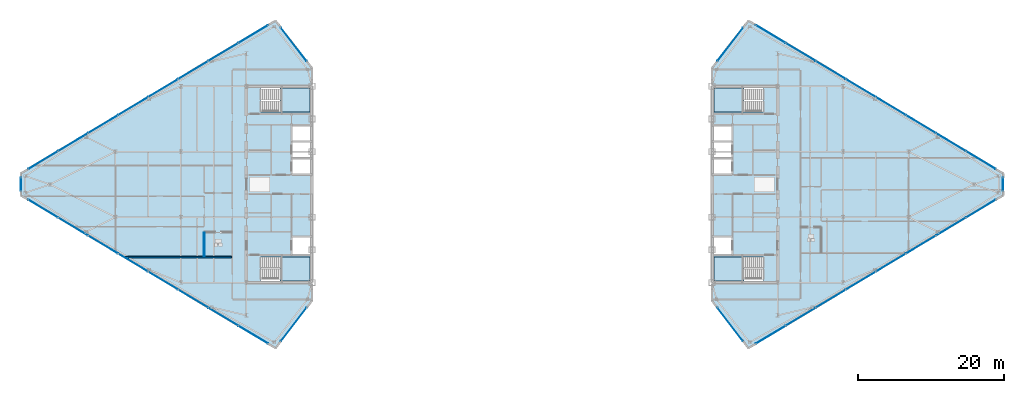
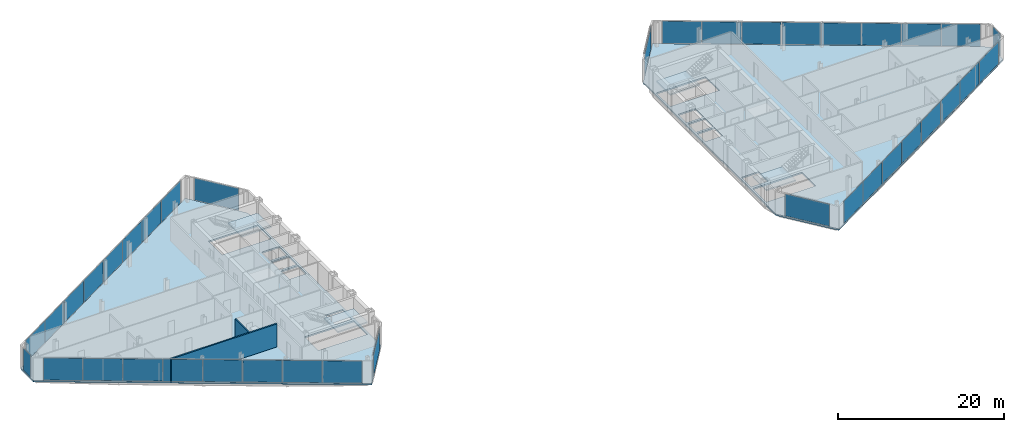
# One storey, part 18 of 25: 38 plates, 6 slabs, 2 walls, 14 elements without a shape of their own.
"""IFC4 building model written with IfcOpenShell, lengths in metres."""

from ifc_helpers import new_model, si_unit, direction, frame, frame_2d, origin, origin_2d, place, context, subcontext, project, spatial, polyline, rectangle, outline, extrude, source, transform, mapped, material, layer, layer_set, type_object, type_shapes, element, aggregate, save


model = new_model("IFC4")

# Units and contexts
model_context = context("Model", 3, precision=1e-05, world=origin(), true_north=direction((0.0, 1.0)))
body_context = subcontext(model_context, "Body", "Model", "MODEL_VIEW")
ifc_project = project(units=[si_unit("LENGTHUNIT", "METRE"), si_unit("AREAUNIT", "SQUARE_METRE"), si_unit("VOLUMEUNIT", "CUBIC_METRE"), si_unit("PLANEANGLEUNIT", "RADIAN"), si_unit("MASSUNIT", "GRAM", prefix="KILO")], contexts=[model_context])

# Site, building, storey
site_placement = place(None, origin())
site = spatial("IfcSite", under=ifc_project, at=site_placement, CompositionType="ELEMENT")
building_placement = place(site_placement, origin())
building = spatial("IfcBuilding", under=site, at=building_placement, Name="Seokmaru Belvedere", CompositionType="ELEMENT")
storey_placement = place(building_placement, frame((0.0, 0.0, 210.300048828125)))
storey = spatial("IfcBuildingStorey", under=building, at=storey_placement, Name="L56", CompositionType="ELEMENT", Elevation=210.300048828125)

# Stair, slab
ifc_material_1 = material(Name="Concrete C40 (40 MPa)", Category="concrete")
stair_type = type_object("IfcStairType", Name="Typical Tower Core Dog-Leg Stair 3600", PredefinedType="TWO_STRAIGHT_RUN_STAIR", material=ifc_material_1)
stair_1_placement = place(storey_placement, origin())
stair_1 = element("IfcStair", 1, at=stair_1_placement, inside=storey, type_object=stair_type, Name="L56 Special Escape Stair ST-W1", PredefinedType="TWO_STRAIGHT_RUN_STAIR")
ifc_layer_1 = layer(ifc_material_1, 0.199951171875)
ifc_layer_set_1 = layer_set([ifc_layer_1], Name="Concrete C40 (40 MPa)")
slab_type_1 = type_object("IfcSlabType", Name="Reinforced Concrete Stair Landing Slab 200", PredefinedType="LANDING", material=ifc_layer_set_1)
slab_1_placement = place(storey_placement, frame((0.0, 0.0, 1.599853515625)))
slab_1 = element("IfcSlab", 2, at=slab_1_placement, type_object=slab_type_1, Name="ST-W1 landing 1", PredefinedType="LANDING", context=body_context, shape_type="SweptSolid", body=[
    extrude(outline(polyline([(-31.8798828125, -13.239990234375), (-27.760009765625, -13.239990234375), (-27.760009765625, -9.949951171875), (-31.8798828125, -9.949951171875), (-31.8798828125, -13.239990234375)])), origin(), (0.0, 0.0, 1.0), 0.2001953125),
])
aggregate(stair_1, [slab_1])

stair_2_placement = place(storey_placement, origin())
stair_2 = element("IfcStair", 3, at=stair_2_placement, inside=storey, type_object=stair_type, Name="L56 Special Escape Stair ST-W2", PredefinedType="TWO_STRAIGHT_RUN_STAIR")
slab_2_placement = place(storey_placement, frame((0.0, 0.0, 1.599853515625)))
slab_2 = element("IfcSlab", 4, at=slab_2_placement, type_object=slab_type_1, Name="ST-W2 landing 1", PredefinedType="LANDING", context=body_context, shape_type="SweptSolid", body=[
    extrude(outline(polyline([(-31.8798828125, 9.949951171875), (-27.760009765625, 9.949951171875), (-27.760009765625, 13.239990234375), (-31.8798828125, 13.239990234375), (-31.8798828125, 9.949951171875)])), origin(), (0.0, 0.0, 1.0), 0.2001953125),
])
aggregate(stair_2, [slab_2])

stair_3_placement = place(storey_placement, origin())
stair_3 = element("IfcStair", 5, at=stair_3_placement, inside=storey, type_object=stair_type, Name="L56 Special Escape Stair ST-E1", PredefinedType="TWO_STRAIGHT_RUN_STAIR")
slab_3_placement = place(storey_placement, frame((0.0, 0.0, 1.599853515625)))
slab_3 = element("IfcSlab", 6, at=slab_3_placement, type_object=slab_type_1, Name="ST-E1 landing 1", PredefinedType="LANDING", context=body_context, shape_type="SweptSolid", body=[
    extrude(outline(polyline([(27.760009765625, -13.239990234375), (31.8798828125, -13.239990234375), (31.8798828125, -9.949951171875), (27.760009765625, -9.949951171875), (27.760009765625, -13.239990234375)])), origin(), (0.0, 0.0, 1.0), 0.2001953125),
])
aggregate(stair_3, [slab_3])

stair_4_placement = place(storey_placement, origin())
stair_4 = element("IfcStair", 7, at=stair_4_placement, inside=storey, type_object=stair_type, Name="L56 Special Escape Stair ST-E2", PredefinedType="TWO_STRAIGHT_RUN_STAIR")
slab_4_placement = place(storey_placement, frame((0.0, 0.0, 1.599853515625)))
slab_4 = element("IfcSlab", 8, at=slab_4_placement, type_object=slab_type_1, Name="ST-E2 landing 1", PredefinedType="LANDING", context=body_context, shape_type="SweptSolid", body=[
    extrude(outline(polyline([(27.760009765625, 9.949951171875), (31.8798828125, 9.949951171875), (31.8798828125, 13.239990234375), (27.760009765625, 13.239990234375), (27.760009765625, 9.949951171875)])), origin(), (0.0, 0.0, 1.0), 0.2001953125),
])
aggregate(stair_4, [slab_4])

# Slabs
ifc_layer_2 = layer(ifc_material_1, 0.219970703125)
ifc_layer_set_2 = layer_set([ifc_layer_2], Name="Concrete C40 (40 MPa)")
slab_type_2 = type_object("IfcSlabType", Name="Typical Tower Composite Floor Slab 220", PredefinedType="FLOOR", material=ifc_layer_set_2)
slab_5_placement = place(storey_placement, frame((0.0, 0.0, -0.219970703125)))
element("IfcSlab", 9, at=slab_5_placement, inside=storey, type_object=slab_type_2, Name="L56 West Leg Floor Slab", PredefinedType="FLOOR", context=body_context, shape_type="SweptSolid", body=[
    extrude(outline(polyline([(-27.5, -16.0), (-27.5, 16.0), (-32.5, 22.5), (-67.5, 1.5), (-67.5, -1.5), (-32.5, -22.5), (-27.5, -16.0)]), holes=[polyline([(-34.60009765625, -13.25), (-27.75, -13.25), (-27.75, -9.949951171875), (-34.60009765625, -9.949951171875), (-34.60009765625, -13.25)]), polyline([(-34.60009765625, 9.949951171875), (-27.75, 9.949951171875), (-27.75, 13.25), (-34.60009765625, 13.25), (-34.60009765625, 9.949951171875)]), polyline([(-30.14990234375, -9.550048828125), (-27.75, -9.550048828125), (-27.75, -7.25), (-30.14990234375, -7.25), (-30.14990234375, -9.550048828125)]), polyline([(-30.14990234375, 1.449951171875), (-27.75, 1.449951171875), (-27.75, 3.449951171875), (-30.14990234375, 3.449951171875), (-30.14990234375, 1.449951171875)]), polyline([(-30.14990234375, 3.75), (-27.75, 3.75), (-27.75, 5.75), (-30.14990234375, 5.75), (-30.14990234375, 3.75)]), polyline([(-30.14990234375, 6.050048828125), (-27.75, 6.050048828125), (-27.75, 8.050048828125), (-30.14990234375, 8.050048828125), (-30.14990234375, 6.050048828125)])]), origin(), (0.0, 0.0, 1.0), 0.219970703125),
])
slab_6_placement = place(storey_placement, frame((0.0, 0.0, -0.219970703125)))
element("IfcSlab", 10, at=slab_6_placement, inside=storey, type_object=slab_type_2, Name="L56 East Leg Floor Slab", PredefinedType="FLOOR", context=body_context, shape_type="SweptSolid", body=[
    extrude(outline(polyline([(32.5, -22.5), (67.5, -1.5), (67.5, 1.5), (32.5, 22.5), (27.5, 16.0), (27.5, -16.0), (32.5, -22.5)]), holes=[polyline([(27.75, -13.25), (34.60009765625, -13.25), (34.60009765625, -9.949951171875), (27.75, -9.949951171875), (27.75, -13.25)]), polyline([(27.75, 9.949951171875), (34.60009765625, 9.949951171875), (34.60009765625, 13.25), (27.75, 13.25), (27.75, 9.949951171875)]), polyline([(27.75, -9.550048828125), (30.14990234375, -9.550048828125), (30.14990234375, -7.25), (27.75, -7.25), (27.75, -9.550048828125)]), polyline([(27.75, 1.449951171875), (30.14990234375, 1.449951171875), (30.14990234375, 3.449951171875), (27.75, 3.449951171875), (27.75, 1.449951171875)]), polyline([(27.75, 3.75), (30.14990234375, 3.75), (30.14990234375, 5.75), (27.75, 5.75), (27.75, 3.75)]), polyline([(27.75, 6.050048828125), (30.14990234375, 6.050048828125), (30.14990234375, 8.050048828125), (27.75, 8.050048828125), (27.75, 6.050048828125)])]), origin(), (0.0, 0.0, 1.0), 0.219970703125),
])

# Curtain wall, plate
ifc_material_2 = material(Name="Bronze Triple Insulating Glass", Category="glass")
ifc_layer_3 = layer(ifc_material_2, 0.179931640625)
ifc_layer_set_3 = layer_set([ifc_layer_3], Name="Bronze Triple Insulating Glass")
curtain_wall_type = type_object("IfcCurtainWallType", Name="High-Rise Wind-Corner Curtain Wall System CW-5", PredefinedType="NOTDEFINED", material=ifc_layer_set_3)
curtain_wall_1_placement = place(storey_placement, origin())
curtain_wall_1 = element("IfcCurtainWall", 11, at=curtain_wall_1_placement, inside=storey, type_object=curtain_wall_type, Name="L56 Curtain Wall WF2", PredefinedType="NOTDEFINED")
ifc_layer_4 = layer(ifc_material_2, 0.035888671875)
ifc_layer_set_4 = layer_set([ifc_layer_4], Name="Bronze Triple Insulating Glass")
plate_type = type_object("IfcPlateType", Name="Bronze Triple Vision Glazing Panel 36", PredefinedType="CURTAIN_PANEL", material=ifc_layer_set_4)
shared_shape_1 = source(origin(), body_context, "Body", "SweptSolid", [
    extrude(rectangle(XDim=5.7705078125, YDim=0.035888671875, at=origin_2d()), origin(), (0.0, 0.0, 1.0), 3.25),
])
plate_1_placement = place(storey_placement, frame((-30.0, 19.25, 0.06494140625), z_axis=(0.0, 0.0, 1.0), x_axis=(-0.609701187349, 0.792631353244, 0.0)))
plate_1 = element("IfcPlate", 12, at=plate_1_placement, type_object=plate_type, Name="CW:L56:WF2 Glazing Panel 1-1", PredefinedType="CURTAIN_PANEL", context=body_context, shape_type="MappedRepresentation", body=[
    mapped(shared_shape_1, transform((0.0, 0.0, 0.0), scale=1.0)),
])
aggregate(curtain_wall_1, [plate_1])

curtain_wall_2_placement = place(storey_placement, origin())
curtain_wall_2 = element("IfcCurtainWall", 13, at=curtain_wall_2_placement, inside=storey, type_object=curtain_wall_type, Name="L56 Curtain Wall WF6", PredefinedType="NOTDEFINED")
plate_2_placement = place(storey_placement, frame((-30.0, -19.25, 0.06494140625), z_axis=(0.0, 0.0, 1.0), x_axis=(0.609701187349, 0.792631353244, 0.0)))
plate_2 = element("IfcPlate", 14, at=plate_2_placement, type_object=plate_type, Name="CW:L56:WF6 Glazing Panel 1-1", PredefinedType="CURTAIN_PANEL", context=body_context, shape_type="MappedRepresentation", body=[
    mapped(shared_shape_1, transform((0.0, 0.0, 0.0), scale=1.0)),
])
aggregate(curtain_wall_2, [plate_2])

curtain_wall_3_placement = place(storey_placement, origin())
curtain_wall_3 = element("IfcCurtainWall", 15, at=curtain_wall_3_placement, inside=storey, type_object=curtain_wall_type, Name="L56 Curtain Wall EF4", PredefinedType="NOTDEFINED")
plate_3_placement = place(storey_placement, frame((30.0, 19.25, 0.06494140625), z_axis=(0.0, 0.0, 1.0), x_axis=(-0.609701187349, -0.792631353244, 0.0)))
plate_3 = element("IfcPlate", 16, at=plate_3_placement, type_object=plate_type, Name="CW:L56:EF4 Glazing Panel 1-1", PredefinedType="CURTAIN_PANEL", context=body_context, shape_type="MappedRepresentation", body=[
    mapped(shared_shape_1, transform((0.0, 0.0, 0.0), scale=1.0)),
])
aggregate(curtain_wall_3, [plate_3])

curtain_wall_4_placement = place(storey_placement, origin())
curtain_wall_4 = element("IfcCurtainWall", 17, at=curtain_wall_4_placement, inside=storey, type_object=curtain_wall_type, Name="L56 Curtain Wall EF6", PredefinedType="NOTDEFINED")
plate_4_placement = place(storey_placement, frame((30.0, -19.25, 0.06494140625), z_axis=(0.0, 0.0, 1.0), x_axis=(0.609701187349, -0.792631353244, 0.0)))
plate_4 = element("IfcPlate", 18, at=plate_4_placement, type_object=plate_type, Name="CW:L56:EF6 Glazing Panel 1-1", PredefinedType="CURTAIN_PANEL", context=body_context, shape_type="MappedRepresentation", body=[
    mapped(shared_shape_1, transform((0.0, 0.0, 0.0), scale=1.0)),
])
aggregate(curtain_wall_4, [plate_4])

# Curtain wall, plates
curtain_wall_5_placement = place(storey_placement, origin())
curtain_wall_5 = element("IfcCurtainWall", 19, at=curtain_wall_5_placement, inside=storey, type_object=curtain_wall_type, Name="L56 Curtain Wall WF3", PredefinedType="NOTDEFINED")
shared_shape_2 = source(origin(), body_context, "Body", "SweptSolid", [
    extrude(rectangle(XDim=4.717041015625, YDim=0.035888671875, at=origin_2d()), origin(), (0.0, 0.0, 1.0), 3.25),
])
plate_5_placement = place(storey_placement, frame((-35.564208984375, 20.661376953125, 0.06494140625), z_axis=(0.0, 0.0, 1.0), x_axis=(-0.85749343335, -0.514494909364, 0.0)))
plate_5 = element("IfcPlate", 20, at=plate_5_placement, type_object=plate_type, Name="CW:L56:WF3 Glazing Panel 1-1", PredefinedType="CURTAIN_PANEL", context=body_context, shape_type="MappedRepresentation", body=[
    mapped(shared_shape_2, transform((0.0, 0.0, 0.0), scale=1.0)),
])
plate_6_placement = place(storey_placement, frame((-64.435791015625, 3.338623046875, 0.06494140625), z_axis=(0.0, 0.0, 1.0), x_axis=(-0.85749343335, -0.514494909364, 0.0)))
plate_6 = element("IfcPlate", 21, at=plate_6_placement, type_object=plate_type, Name="CW:L56:WF3 Glazing Panel 8-1", PredefinedType="CURTAIN_PANEL", context=body_context, shape_type="MappedRepresentation", body=[
    mapped(shared_shape_2, transform((0.0, 0.0, 0.0), scale=1.0)),
])

curtain_wall_6_placement = place(storey_placement, origin())
curtain_wall_6 = element("IfcCurtainWall", 22, at=curtain_wall_6_placement, inside=storey, type_object=curtain_wall_type, Name="L56 Curtain Wall WF5", PredefinedType="NOTDEFINED")
plate_7_placement = place(storey_placement, frame((-64.435791015625, -3.338623046875, 0.06494140625), z_axis=(0.0, 0.0, 1.0), x_axis=(0.85749343335, -0.514494909364, 0.0)))
plate_7 = element("IfcPlate", 23, at=plate_7_placement, type_object=plate_type, Name="CW:L56:WF5 Glazing Panel 1-1", PredefinedType="CURTAIN_PANEL", context=body_context, shape_type="MappedRepresentation", body=[
    mapped(shared_shape_2, transform((0.0, 0.0, 0.0), scale=1.0)),
])
plate_8_placement = place(storey_placement, frame((-35.564208984375, -20.661376953125, 0.06494140625), z_axis=(0.0, 0.0, 1.0), x_axis=(0.85749343335, -0.514494909364, 0.0)))
plate_8 = element("IfcPlate", 24, at=plate_8_placement, type_object=plate_type, Name="CW:L56:WF5 Glazing Panel 8-1", PredefinedType="CURTAIN_PANEL", context=body_context, shape_type="MappedRepresentation", body=[
    mapped(shared_shape_2, transform((0.0, 0.0, 0.0), scale=1.0)),
])

curtain_wall_7_placement = place(storey_placement, origin())
curtain_wall_7 = element("IfcCurtainWall", 25, at=curtain_wall_7_placement, inside=storey, type_object=curtain_wall_type, Name="L56 Curtain Wall EF1", PredefinedType="NOTDEFINED")
plate_9_placement = place(storey_placement, frame((35.564208984375, -20.661376953125, 0.06494140625), z_axis=(0.0, 0.0, 1.0), x_axis=(0.85749343335, 0.514494909364, 0.0)))
plate_9 = element("IfcPlate", 26, at=plate_9_placement, type_object=plate_type, Name="CW:L56:EF1 Glazing Panel 1-1", PredefinedType="CURTAIN_PANEL", context=body_context, shape_type="MappedRepresentation", body=[
    mapped(shared_shape_2, transform((0.0, 0.0, 0.0), scale=1.0)),
])
plate_10_placement = place(storey_placement, frame((64.435791015625, -3.338623046875, 0.06494140625), z_axis=(0.0, 0.0, 1.0), x_axis=(0.85749343335, 0.514494909364, 0.0)))
plate_10 = element("IfcPlate", 27, at=plate_10_placement, type_object=plate_type, Name="CW:L56:EF1 Glazing Panel 8-1", PredefinedType="CURTAIN_PANEL", context=body_context, shape_type="MappedRepresentation", body=[
    mapped(shared_shape_2, transform((0.0, 0.0, 0.0), scale=1.0)),
])

curtain_wall_8_placement = place(storey_placement, origin())
curtain_wall_8 = element("IfcCurtainWall", 28, at=curtain_wall_8_placement, inside=storey, type_object=curtain_wall_type, Name="L56 Curtain Wall EF3", PredefinedType="NOTDEFINED")
plate_11_placement = place(storey_placement, frame((64.435791015625, 3.338623046875, 0.06494140625), z_axis=(0.0, 0.0, 1.0), x_axis=(-0.85749343335, 0.514494909364, 0.0)))
plate_11 = element("IfcPlate", 29, at=plate_11_placement, type_object=plate_type, Name="CW:L56:EF3 Glazing Panel 1-1", PredefinedType="CURTAIN_PANEL", context=body_context, shape_type="MappedRepresentation", body=[
    mapped(shared_shape_2, transform((0.0, 0.0, 0.0), scale=1.0)),
])
plate_12_placement = place(storey_placement, frame((35.564208984375, 20.661376953125, 0.06494140625), z_axis=(0.0, 0.0, 1.0), x_axis=(-0.85749343335, 0.514494909364, 0.0)))
plate_12 = element("IfcPlate", 30, at=plate_12_placement, type_object=plate_type, Name="CW:L56:EF3 Glazing Panel 8-1", PredefinedType="CURTAIN_PANEL", context=body_context, shape_type="MappedRepresentation", body=[
    mapped(shared_shape_2, transform((0.0, 0.0, 0.0), scale=1.0)),
])

# Plate
shared_shape_3 = source(origin(), body_context, "Body", "SweptSolid", [
    extrude(rectangle(XDim=4.74951171875, YDim=0.035888671875, at=origin_2d()), origin(), (0.0, 0.0, 1.0), 3.25),
])
plate_13_placement = place(storey_placement, frame((-39.6787109375, 18.192626953125, 0.06494140625), z_axis=(0.0, 0.0, 1.0), x_axis=(-0.85749343335, -0.514494909364, 0.0)))
plate_13 = element("IfcPlate", 31, at=plate_13_placement, type_object=plate_type, Name="CW:L56:WF3 Glazing Panel 2-1", PredefinedType="CURTAIN_PANEL", context=body_context, shape_type="MappedRepresentation", body=[
    mapped(shared_shape_3, transform((0.0, 0.0, 0.0), scale=1.0)),
])

plate_14_placement = place(storey_placement, frame((-43.807373046875, 15.715576171875, 0.06494140625), z_axis=(0.0, 0.0, 1.0), x_axis=(-0.85749343335, -0.514494909364, 0.0)))
plate_14 = element("IfcPlate", 32, at=plate_14_placement, type_object=plate_type, Name="CW:L56:WF3 Glazing Panel 3-1", PredefinedType="CURTAIN_PANEL", context=body_context, shape_type="MappedRepresentation", body=[
    mapped(shared_shape_3, transform((0.0, 0.0, 0.0), scale=1.0)),
])

plate_15_placement = place(storey_placement, frame((-47.935791015625, 13.238525390625, 0.06494140625), z_axis=(0.0, 0.0, 1.0), x_axis=(-0.85749343335, -0.514494909364, 0.0)))
plate_15 = element("IfcPlate", 33, at=plate_15_placement, type_object=plate_type, Name="CW:L56:WF3 Glazing Panel 4-1", PredefinedType="CURTAIN_PANEL", context=body_context, shape_type="MappedRepresentation", body=[
    mapped(shared_shape_3, transform((0.0, 0.0, 0.0), scale=1.0)),
])

plate_16_placement = place(storey_placement, frame((-52.064208984375, 10.761474609375, 0.06494140625), z_axis=(0.0, 0.0, 1.0), x_axis=(-0.85749343335, -0.514494909364, 0.0)))
plate_16 = element("IfcPlate", 34, at=plate_16_placement, type_object=plate_type, Name="CW:L56:WF3 Glazing Panel 5-1", PredefinedType="CURTAIN_PANEL", context=body_context, shape_type="MappedRepresentation", body=[
    mapped(shared_shape_3, transform((0.0, 0.0, 0.0), scale=1.0)),
])

plate_17_placement = place(storey_placement, frame((-56.192626953125, 8.284423828125, 0.06494140625), z_axis=(0.0, 0.0, 1.0), x_axis=(-0.85749343335, -0.514494909364, 0.0)))
plate_17 = element("IfcPlate", 35, at=plate_17_placement, type_object=plate_type, Name="CW:L56:WF3 Glazing Panel 6-1", PredefinedType="CURTAIN_PANEL", context=body_context, shape_type="MappedRepresentation", body=[
    mapped(shared_shape_3, transform((0.0, 0.0, 0.0), scale=1.0)),
])

plate_18_placement = place(storey_placement, frame((-60.3212890625, 5.807373046875, 0.06494140625), z_axis=(0.0, 0.0, 1.0), x_axis=(-0.85749343335, -0.514494909364, 0.0)))
plate_18 = element("IfcPlate", 36, at=plate_18_placement, type_object=plate_type, Name="CW:L56:WF3 Glazing Panel 7-1", PredefinedType="CURTAIN_PANEL", context=body_context, shape_type="MappedRepresentation", body=[
    mapped(shared_shape_3, transform((0.0, 0.0, 0.0), scale=1.0)),
])

aggregate(curtain_wall_5, [plate_5, plate_13, plate_14, plate_15, plate_16, plate_17, plate_18, plate_6])

plate_19_placement = place(storey_placement, frame((-60.3212890625, -5.807373046875, 0.06494140625), z_axis=(0.0, 0.0, 1.0), x_axis=(0.85749343335, -0.514494909364, 0.0)))
plate_19 = element("IfcPlate", 37, at=plate_19_placement, type_object=plate_type, Name="CW:L56:WF5 Glazing Panel 2-1", PredefinedType="CURTAIN_PANEL", context=body_context, shape_type="MappedRepresentation", body=[
    mapped(shared_shape_3, transform((0.0, 0.0, 0.0), scale=1.0)),
])

plate_20_placement = place(storey_placement, frame((-56.192626953125, -8.284423828125, 0.06494140625), z_axis=(0.0, 0.0, 1.0), x_axis=(0.85749343335, -0.514494909364, 0.0)))
plate_20 = element("IfcPlate", 38, at=plate_20_placement, type_object=plate_type, Name="CW:L56:WF5 Glazing Panel 3-1", PredefinedType="CURTAIN_PANEL", context=body_context, shape_type="MappedRepresentation", body=[
    mapped(shared_shape_3, transform((0.0, 0.0, 0.0), scale=1.0)),
])

plate_21_placement = place(storey_placement, frame((-52.064208984375, -10.761474609375, 0.06494140625), z_axis=(0.0, 0.0, 1.0), x_axis=(0.85749343335, -0.514494909364, 0.0)))
plate_21 = element("IfcPlate", 39, at=plate_21_placement, type_object=plate_type, Name="CW:L56:WF5 Glazing Panel 4-1", PredefinedType="CURTAIN_PANEL", context=body_context, shape_type="MappedRepresentation", body=[
    mapped(shared_shape_3, transform((0.0, 0.0, 0.0), scale=1.0)),
])

plate_22_placement = place(storey_placement, frame((-47.935791015625, -13.238525390625, 0.06494140625), z_axis=(0.0, 0.0, 1.0), x_axis=(0.85749343335, -0.514494909364, 0.0)))
plate_22 = element("IfcPlate", 40, at=plate_22_placement, type_object=plate_type, Name="CW:L56:WF5 Glazing Panel 5-1", PredefinedType="CURTAIN_PANEL", context=body_context, shape_type="MappedRepresentation", body=[
    mapped(shared_shape_3, transform((0.0, 0.0, 0.0), scale=1.0)),
])

plate_23_placement = place(storey_placement, frame((-43.807373046875, -15.715576171875, 0.06494140625), z_axis=(0.0, 0.0, 1.0), x_axis=(0.85749343335, -0.514494909364, 0.0)))
plate_23 = element("IfcPlate", 41, at=plate_23_placement, type_object=plate_type, Name="CW:L56:WF5 Glazing Panel 6-1", PredefinedType="CURTAIN_PANEL", context=body_context, shape_type="MappedRepresentation", body=[
    mapped(shared_shape_3, transform((0.0, 0.0, 0.0), scale=1.0)),
])

plate_24_placement = place(storey_placement, frame((-39.6787109375, -18.192626953125, 0.06494140625), z_axis=(0.0, 0.0, 1.0), x_axis=(0.85749343335, -0.514494909364, 0.0)))
plate_24 = element("IfcPlate", 42, at=plate_24_placement, type_object=plate_type, Name="CW:L56:WF5 Glazing Panel 7-1", PredefinedType="CURTAIN_PANEL", context=body_context, shape_type="MappedRepresentation", body=[
    mapped(shared_shape_3, transform((0.0, 0.0, 0.0), scale=1.0)),
])

aggregate(curtain_wall_6, [plate_7, plate_19, plate_20, plate_21, plate_22, plate_23, plate_24, plate_8])

plate_25_placement = place(storey_placement, frame((39.6787109375, -18.192626953125, 0.06494140625), z_axis=(0.0, 0.0, 1.0), x_axis=(0.85749343335, 0.514494909364, 0.0)))
plate_25 = element("IfcPlate", 43, at=plate_25_placement, type_object=plate_type, Name="CW:L56:EF1 Glazing Panel 2-1", PredefinedType="CURTAIN_PANEL", context=body_context, shape_type="MappedRepresentation", body=[
    mapped(shared_shape_3, transform((0.0, 0.0, 0.0), scale=1.0)),
])

plate_26_placement = place(storey_placement, frame((43.807373046875, -15.715576171875, 0.06494140625), z_axis=(0.0, 0.0, 1.0), x_axis=(0.85749343335, 0.514494909364, 0.0)))
plate_26 = element("IfcPlate", 44, at=plate_26_placement, type_object=plate_type, Name="CW:L56:EF1 Glazing Panel 3-1", PredefinedType="CURTAIN_PANEL", context=body_context, shape_type="MappedRepresentation", body=[
    mapped(shared_shape_3, transform((0.0, 0.0, 0.0), scale=1.0)),
])

plate_27_placement = place(storey_placement, frame((47.935791015625, -13.238525390625, 0.06494140625), z_axis=(0.0, 0.0, 1.0), x_axis=(0.85749343335, 0.514494909364, 0.0)))
plate_27 = element("IfcPlate", 45, at=plate_27_placement, type_object=plate_type, Name="CW:L56:EF1 Glazing Panel 4-1", PredefinedType="CURTAIN_PANEL", context=body_context, shape_type="MappedRepresentation", body=[
    mapped(shared_shape_3, transform((0.0, 0.0, 0.0), scale=1.0)),
])

plate_28_placement = place(storey_placement, frame((52.064208984375, -10.761474609375, 0.06494140625), z_axis=(0.0, 0.0, 1.0), x_axis=(0.85749343335, 0.514494909364, 0.0)))
plate_28 = element("IfcPlate", 46, at=plate_28_placement, type_object=plate_type, Name="CW:L56:EF1 Glazing Panel 5-1", PredefinedType="CURTAIN_PANEL", context=body_context, shape_type="MappedRepresentation", body=[
    mapped(shared_shape_3, transform((0.0, 0.0, 0.0), scale=1.0)),
])

plate_29_placement = place(storey_placement, frame((56.192626953125, -8.284423828125, 0.06494140625), z_axis=(0.0, 0.0, 1.0), x_axis=(0.85749343335, 0.514494909364, 0.0)))
plate_29 = element("IfcPlate", 47, at=plate_29_placement, type_object=plate_type, Name="CW:L56:EF1 Glazing Panel 6-1", PredefinedType="CURTAIN_PANEL", context=body_context, shape_type="MappedRepresentation", body=[
    mapped(shared_shape_3, transform((0.0, 0.0, 0.0), scale=1.0)),
])

plate_30_placement = place(storey_placement, frame((60.3212890625, -5.807373046875, 0.06494140625), z_axis=(0.0, 0.0, 1.0), x_axis=(0.85749343335, 0.514494909364, 0.0)))
plate_30 = element("IfcPlate", 48, at=plate_30_placement, type_object=plate_type, Name="CW:L56:EF1 Glazing Panel 7-1", PredefinedType="CURTAIN_PANEL", context=body_context, shape_type="MappedRepresentation", body=[
    mapped(shared_shape_3, transform((0.0, 0.0, 0.0), scale=1.0)),
])

aggregate(curtain_wall_7, [plate_9, plate_25, plate_26, plate_27, plate_28, plate_29, plate_30, plate_10])

plate_31_placement = place(storey_placement, frame((60.3212890625, 5.807373046875, 0.06494140625), z_axis=(0.0, 0.0, 1.0), x_axis=(-0.85749343335, 0.514494909364, 0.0)))
plate_31 = element("IfcPlate", 49, at=plate_31_placement, type_object=plate_type, Name="CW:L56:EF3 Glazing Panel 2-1", PredefinedType="CURTAIN_PANEL", context=body_context, shape_type="MappedRepresentation", body=[
    mapped(shared_shape_3, transform((0.0, 0.0, 0.0), scale=1.0)),
])

plate_32_placement = place(storey_placement, frame((56.192626953125, 8.284423828125, 0.06494140625), z_axis=(0.0, 0.0, 1.0), x_axis=(-0.85749343335, 0.514494909364, 0.0)))
plate_32 = element("IfcPlate", 50, at=plate_32_placement, type_object=plate_type, Name="CW:L56:EF3 Glazing Panel 3-1", PredefinedType="CURTAIN_PANEL", context=body_context, shape_type="MappedRepresentation", body=[
    mapped(shared_shape_3, transform((0.0, 0.0, 0.0), scale=1.0)),
])

plate_33_placement = place(storey_placement, frame((52.064208984375, 10.761474609375, 0.06494140625), z_axis=(0.0, 0.0, 1.0), x_axis=(-0.85749343335, 0.514494909364, 0.0)))
plate_33 = element("IfcPlate", 51, at=plate_33_placement, type_object=plate_type, Name="CW:L56:EF3 Glazing Panel 4-1", PredefinedType="CURTAIN_PANEL", context=body_context, shape_type="MappedRepresentation", body=[
    mapped(shared_shape_3, transform((0.0, 0.0, 0.0), scale=1.0)),
])

plate_34_placement = place(storey_placement, frame((47.935791015625, 13.238525390625, 0.06494140625), z_axis=(0.0, 0.0, 1.0), x_axis=(-0.85749343335, 0.514494909364, 0.0)))
plate_34 = element("IfcPlate", 52, at=plate_34_placement, type_object=plate_type, Name="CW:L56:EF3 Glazing Panel 5-1", PredefinedType="CURTAIN_PANEL", context=body_context, shape_type="MappedRepresentation", body=[
    mapped(shared_shape_3, transform((0.0, 0.0, 0.0), scale=1.0)),
])

plate_35_placement = place(storey_placement, frame((43.807373046875, 15.715576171875, 0.06494140625), z_axis=(0.0, 0.0, 1.0), x_axis=(-0.85749343335, 0.514494909364, 0.0)))
plate_35 = element("IfcPlate", 53, at=plate_35_placement, type_object=plate_type, Name="CW:L56:EF3 Glazing Panel 6-1", PredefinedType="CURTAIN_PANEL", context=body_context, shape_type="MappedRepresentation", body=[
    mapped(shared_shape_3, transform((0.0, 0.0, 0.0), scale=1.0)),
])

plate_36_placement = place(storey_placement, frame((39.6787109375, 18.192626953125, 0.06494140625), z_axis=(0.0, 0.0, 1.0), x_axis=(-0.85749343335, 0.514494909364, 0.0)))
plate_36 = element("IfcPlate", 54, at=plate_36_placement, type_object=plate_type, Name="CW:L56:EF3 Glazing Panel 7-1", PredefinedType="CURTAIN_PANEL", context=body_context, shape_type="MappedRepresentation", body=[
    mapped(shared_shape_3, transform((0.0, 0.0, 0.0), scale=1.0)),
])

aggregate(curtain_wall_8, [plate_11, plate_31, plate_32, plate_33, plate_34, plate_35, plate_36, plate_12])

# Curtain wall, plate
curtain_wall_9_placement = place(storey_placement, origin())
curtain_wall_9 = element("IfcCurtainWall", 55, at=curtain_wall_9_placement, inside=storey, type_object=curtain_wall_type, Name="L56 Curtain Wall WF4", PredefinedType="NOTDEFINED")
shared_shape_4 = source(origin(), body_context, "Body", "SweptSolid", [
    extrude(rectangle(XDim=1.77001953125, YDim=0.035888671875, at=origin_2d()), origin(), (0.0, 0.0, 1.0), 3.25),
])
type_shapes(plate_type, [shared_shape_1, shared_shape_2, shared_shape_3, shared_shape_4])
plate_37_placement = place(storey_placement, frame((-67.5, 0.0, 0.06494140625), z_axis=(0.0, 0.0, 1.0), x_axis=(0.0, -1.0, 0.0)))
plate_37 = element("IfcPlate", 56, at=plate_37_placement, type_object=plate_type, Name="CW:L56:WF4 Glazing Panel 1-1", PredefinedType="CURTAIN_PANEL", context=body_context, shape_type="MappedRepresentation", body=[
    mapped(shared_shape_4, transform((0.0, 0.0, 0.0), scale=1.0)),
])
aggregate(curtain_wall_9, [plate_37])

curtain_wall_10_placement = place(storey_placement, origin())
curtain_wall_10 = element("IfcCurtainWall", 57, at=curtain_wall_10_placement, inside=storey, type_object=curtain_wall_type, Name="L56 Curtain Wall EF2", PredefinedType="NOTDEFINED")
plate_38_placement = place(storey_placement, frame((67.5, 0.0, 0.06494140625), z_axis=(0.0, 0.0, 1.0), x_axis=(0.0, 1.0, 0.0)))
plate_38 = element("IfcPlate", 58, at=plate_38_placement, type_object=plate_type, Name="CW:L56:EF2 Glazing Panel 1-1", PredefinedType="CURTAIN_PANEL", context=body_context, shape_type="MappedRepresentation", body=[
    mapped(shared_shape_4, transform((0.0, 0.0, 0.0), scale=1.0)),
])
aggregate(curtain_wall_10, [plate_38])

# Walls
ifc_material_3 = material(Name="Fire-Rated Gypsum Shaftwall")
ifc_layer_5 = layer(ifc_material_3, 0.199951171875)
ifc_layer_set_5 = layer_set([ifc_layer_5], Name="Fire-Rated Gypsum Shaftwall")
wall_type_1 = type_object("IfcWallType", Name="Inter-Tenancy Fire Compartment Partition 200", PredefinedType="PARTITIONING", material=ifc_layer_set_5)
wall_1_placement = place(storey_placement, frame((-53.343017578125, -10.0, 0.0), z_axis=(0.0, 0.0, 1.0), x_axis=(1.0, 0.0, 0.0)))
element("IfcWall", 59, at=wall_1_placement, inside=storey, type_object=wall_type_1, Name="L56 Interior Partition 003", PredefinedType="PARTITIONING", context=body_context, shape_type="SweptSolid", body=[
    extrude(rectangle(XDim=14.81298828125, YDim=0.199951171875, at=frame_2d((7.406494140625, 0.0))), origin(), (0.0, 0.0, 1.0), 3.3798828125),
])
ifc_layer_6 = layer(ifc_material_3, 0.1298828125)
ifc_layer_set_6 = layer_set([ifc_layer_6], Name="Fire-Rated Gypsum Shaftwall")
wall_type_2 = type_object("IfcWallType", Name="Moisture-Resistant Fire-Rated Bathroom Partition 130", PredefinedType="PARTITIONING", material=ifc_layer_set_6)
wall_2_placement = place(storey_placement, frame((-42.300048828125, -9.949951171875, 0.0), z_axis=(0.0, 0.0, 1.0), x_axis=(0.0, 1.0, 0.0)))
element("IfcWall", 60, at=wall_2_placement, inside=storey, type_object=wall_type_2, Name="L56 Interior Partition 018", PredefinedType="PARTITIONING", context=body_context, shape_type="SweptSolid", body=[
    extrude(rectangle(XDim=3.300048828125, YDim=0.1298828125, at=frame_2d((1.64990234375, 0.0))), origin(), (0.0, 0.0, 1.0), 3.3798828125),
])

save(model, "model.ifc")
